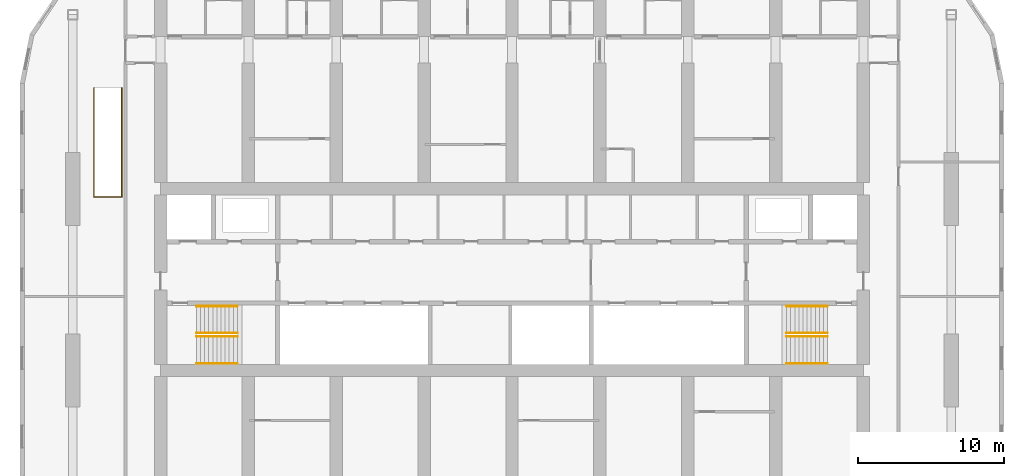
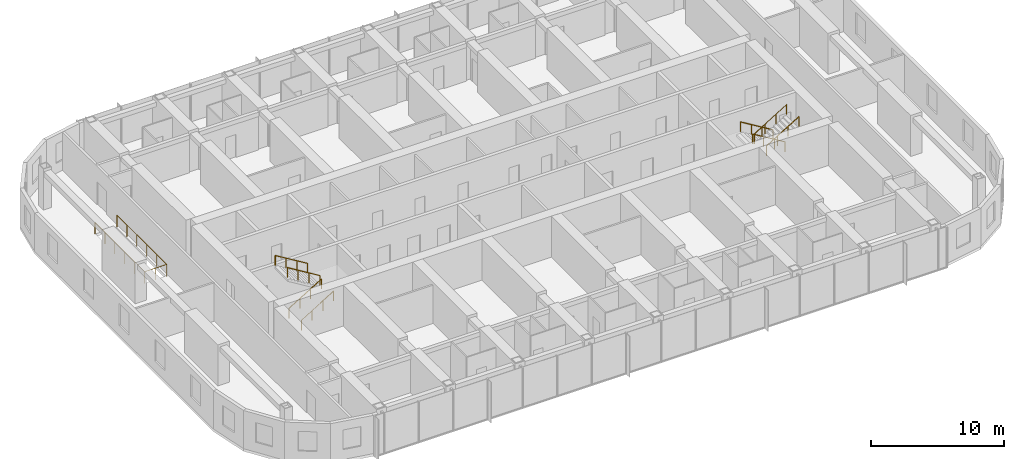
# One storey, part 22 of 22: 9 railings.
"""IFC4 building model written with IfcOpenShell, lengths in metres."""

from ifc_helpers import new_model, si_unit, direction, frame, origin, origin_2d, place, context, subcontext, project, spatial, circle, extrude, material, type_object, element, save


model = new_model("IFC4")

# Units and contexts
model_context = context("Model", 3, precision=1e-05, world=origin(), true_north=direction((0.0, 1.0)))
body_context = subcontext(model_context, "Body", "Model", "MODEL_VIEW")
ifc_project = project(units=[si_unit("LENGTHUNIT", "METRE"), si_unit("AREAUNIT", "SQUARE_METRE"), si_unit("VOLUMEUNIT", "CUBIC_METRE"), si_unit("PLANEANGLEUNIT", "RADIAN"), si_unit("MASSUNIT", "GRAM", prefix="KILO")], contexts=[model_context])

# Site, building, storey
site_placement = place(None, origin())
site = spatial("IfcSite", under=ifc_project, at=site_placement, CompositionType="ELEMENT")
building_placement = place(site_placement, origin())
building = spatial("IfcBuilding", under=site, at=building_placement, Name="Orbita Commons", CompositionType="ELEMENT")
storey_placement = place(building_placement, frame((0.0, 0.0, 152.35009765625)))
storey = spatial("IfcBuildingStorey", under=building, at=storey_placement, Name="L37", CompositionType="ELEMENT", Elevation=152.35009765625)

# Railings
ifc_material_1 = material(Name="Steel tube, painted", Category="steel")
railing_type_1 = type_object("IfcRailingType", Name="Stair handrail steel tube 900", PredefinedType="HANDRAIL", material=ifc_material_1)
for number, where, name in (
    (1, (20.449951171875, 28.114990234375, 0.17041015625), "Stair S1 handrail L37 flight 1"),
    (2, (20.449951171875, 26.284912109375, 0.17041015625), "Stair S1 handrail L37 flight 1"),
):
    element("IfcRailing", number, at=place(storey_placement, frame(where)), inside=storey, type_object=railing_type_1, Name=name, PredefinedType="HANDRAIL", context=body_context, shape_type="SweptSolid", body=[
        extrude(circle(Radius=0.02099609375, at=origin_2d()), frame((0.0, 0.0, 0.87890625), z_axis=(0.854169791009, 0.0, 0.51999420009), x_axis=(0.0, 1.0, 0.0)), (0.0, 0.0, 1.0), 3.278076171875),
        extrude(circle(Radius=0.02001953125, at=origin_2d()), origin(), (0.0, 0.0, 1.0), 0.85791015625),
        extrude(circle(Radius=0.02001953125, at=origin_2d()), frame((0.933349609375, 0.0, 0.568115234375)), (0.0, 0.0, 1.0), 0.85791015625),
        extrude(circle(Radius=0.02001953125, at=origin_2d()), frame((1.86669921875, 0.0, 1.136474609375)), (0.0, 0.0, 1.0), 0.85791015625),
        extrude(circle(Radius=0.02001953125, at=origin_2d()), frame((2.800048828125, 0.0, 1.70458984375)), (0.0, 0.0, 1.0), 0.85791015625),
    ])
for number, where, name in (
    (3, (23.25, 28.360107421875, 2.04541015625), "Stair S1 handrail L37 flight 2"),
    (4, (23.25, 30.18994140625, 2.04541015625), "Stair S1 handrail L37 flight 2"),
    (5, (63.550048828125, 28.360107421875, 0.17041015625), "Stair S2 handrail L37 flight 1"),
    (6, (63.550048828125, 30.18994140625, 0.17041015625), "Stair S2 handrail L37 flight 1"),
):
    element("IfcRailing", number, at=place(storey_placement, frame(where)), inside=storey, type_object=railing_type_1, Name=name, PredefinedType="HANDRAIL", context=body_context, shape_type="SweptSolid", body=[
        extrude(circle(Radius=0.02099609375, at=origin_2d()), frame((0.0, 0.0, 0.87890625), z_axis=(-0.854169791009, 0.0, 0.51999420009), x_axis=(0.0, -1.0, 0.0)), (0.0, 0.0, 1.0), 3.278076171875),
        extrude(circle(Radius=0.02001953125, at=origin_2d()), origin(), (0.0, 0.0, 1.0), 0.85791015625),
        extrude(circle(Radius=0.02001953125, at=origin_2d()), frame((-0.933349609375, 0.0, 0.568115234375)), (0.0, 0.0, 1.0), 0.85791015625),
        extrude(circle(Radius=0.02001953125, at=origin_2d()), frame((-1.86669921875, 0.0, 1.136474609375)), (0.0, 0.0, 1.0), 0.85791015625),
        extrude(circle(Radius=0.02001953125, at=origin_2d()), frame((-2.800048828125, 0.0, 1.70458984375)), (0.0, 0.0, 1.0), 0.85791015625),
    ])
for number, where, name in (
    (7, (60.75, 28.114990234375, 2.04541015625), "Stair S2 handrail L37 flight 2"),
    (8, (60.75, 26.284912109375, 2.04541015625), "Stair S2 handrail L37 flight 2"),
):
    element("IfcRailing", number, at=place(storey_placement, frame(where)), inside=storey, type_object=railing_type_1, Name=name, PredefinedType="HANDRAIL", context=body_context, shape_type="SweptSolid", body=[
        extrude(circle(Radius=0.02099609375, at=origin_2d()), frame((0.0, 0.0, 0.87890625), z_axis=(0.854169791009, 0.0, 0.51999420009), x_axis=(0.0, 1.0, 0.0)), (0.0, 0.0, 1.0), 3.278076171875),
        extrude(circle(Radius=0.02001953125, at=origin_2d()), origin(), (0.0, 0.0, 1.0), 0.85791015625),
        extrude(circle(Radius=0.02001953125, at=origin_2d()), frame((0.933349609375, 0.0, 0.568115234375)), (0.0, 0.0, 1.0), 0.85791015625),
        extrude(circle(Radius=0.02001953125, at=origin_2d()), frame((1.86669921875, 0.0, 1.136474609375)), (0.0, 0.0, 1.0), 0.85791015625),
        extrude(circle(Radius=0.02001953125, at=origin_2d()), frame((2.800048828125, 0.0, 1.70458984375)), (0.0, 0.0, 1.0), 0.85791015625),
    ])
ifc_material_2 = material(Name="Laminated glass on steel posts", Category="steel")
railing_type_2 = type_object("IfcRailingType", Name="Void guard, glass on steel posts 1100", PredefinedType="GUARDRAIL", material=ifc_material_2)
railing_placement = place(storey_placement, frame((13.449951171875, 45.10009765625, 0.0)))
element("IfcRailing", 9, at=railing_placement, inside=storey, type_object=railing_type_2, Name="Void guard L37", PredefinedType="GUARDRAIL", context=body_context, shape_type="SweptSolid", body=[
    extrude(circle(Radius=0.02490234375, at=origin_2d()), frame((0.0, 0.0, 1.0751953125), z_axis=(0.0, -1.0, 0.0), x_axis=(1.0, 0.0, 0.0)), (0.0, 0.0, 1.0), 7.4501953125),
    extrude(circle(Radius=0.02490234375, at=origin_2d()), frame((0.0, -7.4501953125, 1.0751953125), z_axis=(1.0, 0.0, 0.0), x_axis=(0.0, 1.0, 0.0)), (0.0, 0.0, 1.0), 1.900146484375),
    extrude(circle(Radius=0.02490234375, at=origin_2d()), frame((1.900146484375, -7.4501953125, 1.0751953125), z_axis=(0.0, 1.0, 0.0), x_axis=(-1.0, 0.0, 0.0)), (0.0, 0.0, 1.0), 7.4501953125),
    extrude(circle(Radius=0.02490234375, at=origin_2d()), origin(), (0.0, 0.0, 1.0), 1.050048828125),
    extrude(circle(Radius=0.02490234375, at=origin_2d()), frame((0.0, -1.489990234375, 0.0)), (0.0, 0.0, 1.0), 1.050048828125),
    extrude(circle(Radius=0.02490234375, at=origin_2d()), frame((0.0, -2.97998046875, 0.0)), (0.0, 0.0, 1.0), 1.050048828125),
    extrude(circle(Radius=0.02490234375, at=origin_2d()), frame((0.0, -4.47021484375, 0.0)), (0.0, 0.0, 1.0), 1.050048828125),
    extrude(circle(Radius=0.02490234375, at=origin_2d()), frame((0.0, -5.960205078125, 0.0)), (0.0, 0.0, 1.0), 1.050048828125),
    extrude(circle(Radius=0.02490234375, at=origin_2d()), frame((0.0, -7.4501953125, 0.0)), (0.0, 0.0, 1.0), 1.050048828125),
    extrude(circle(Radius=0.02490234375, at=origin_2d()), frame((0.9501953125, -7.4501953125, 0.0)), (0.0, 0.0, 1.0), 1.050048828125),
    extrude(circle(Radius=0.02490234375, at=origin_2d()), frame((1.900146484375, -7.4501953125, 0.0)), (0.0, 0.0, 1.0), 1.050048828125),
    extrude(circle(Radius=0.02490234375, at=origin_2d()), frame((1.900146484375, -5.960205078125, 0.0)), (0.0, 0.0, 1.0), 1.050048828125),
    extrude(circle(Radius=0.02490234375, at=origin_2d()), frame((1.900146484375, -4.47021484375, 0.0)), (0.0, 0.0, 1.0), 1.050048828125),
    extrude(circle(Radius=0.02490234375, at=origin_2d()), frame((1.900146484375, -2.97998046875, 0.0)), (0.0, 0.0, 1.0), 1.050048828125),
    extrude(circle(Radius=0.02490234375, at=origin_2d()), frame((1.900146484375, -1.489990234375, 0.0)), (0.0, 0.0, 1.0), 1.050048828125),
    extrude(circle(Radius=0.02490234375, at=origin_2d()), frame((1.900146484375, 0.0, 0.0)), (0.0, 0.0, 1.0), 1.050048828125),
])

save(model, "model.ifc")
